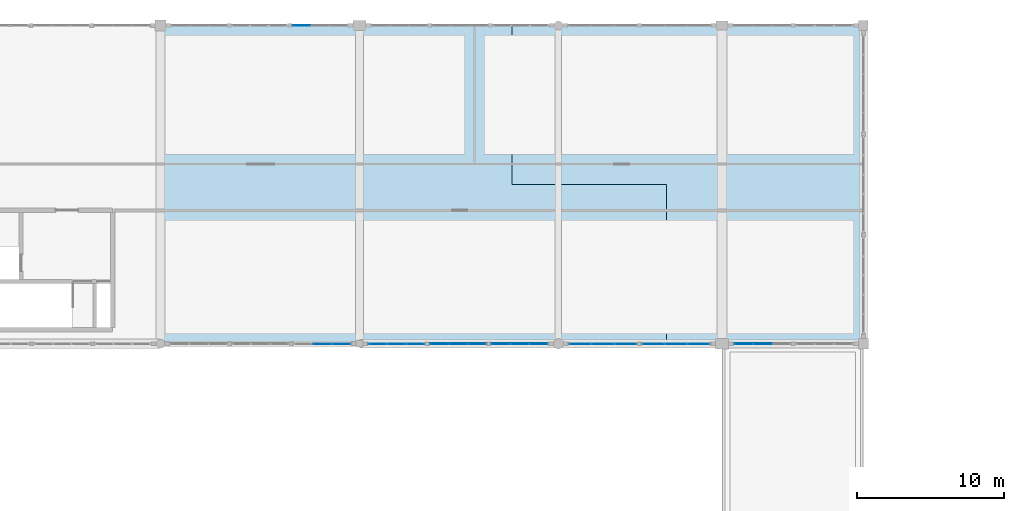
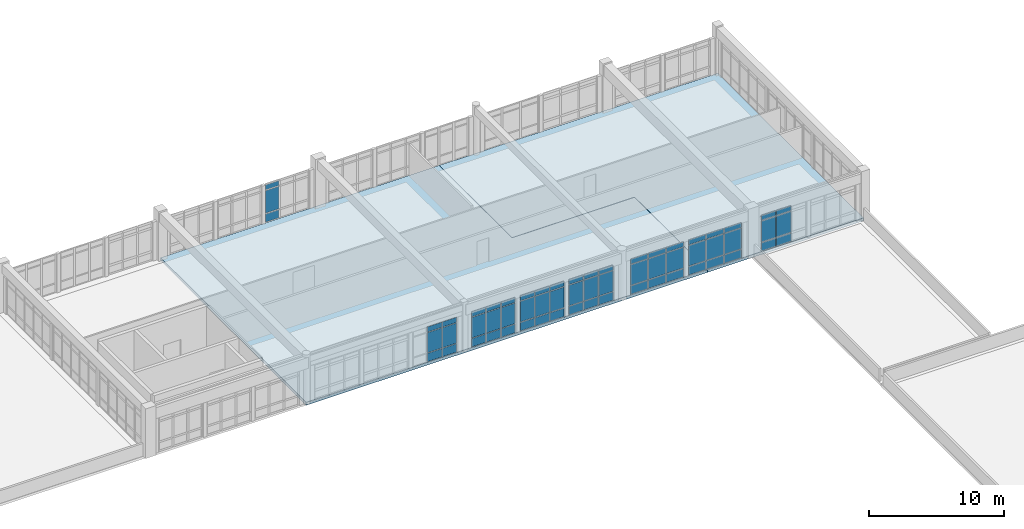
# One storey, part 78 of 109: 60 plates, 2 slabs, 8 elements without a shape of their own.
"""IFC4 building model written with IfcOpenShell, lengths in metres."""

from ifc_helpers import new_model, si_unit, direction, frame, origin, origin_2d, place, context, subcontext, project, spatial, polyline, rectangle, outline, extrude, material, layer, layer_set, type_object, element, aggregate, save


model = new_model("IFC4")

# Units and contexts
model_context = context("Model", 3, precision=1e-05, world=origin(), true_north=direction((0.0, 1.0)))
body_context = subcontext(model_context, "Body", "Model", "MODEL_VIEW")
ifc_project = project(units=[si_unit("LENGTHUNIT", "METRE"), si_unit("AREAUNIT", "SQUARE_METRE"), si_unit("VOLUMEUNIT", "CUBIC_METRE"), si_unit("PLANEANGLEUNIT", "RADIAN"), si_unit("MASSUNIT", "GRAM", prefix="KILO")], contexts=[model_context])

# Site, building, storey
site_placement = place(None, origin())
site = spatial("IfcSite", under=ifc_project, at=site_placement, CompositionType="ELEMENT")
building_placement = place(site_placement, origin())
building = spatial("IfcBuilding", under=site, at=building_placement, Name="Fikremerkos Civic Library", CompositionType="ELEMENT")
storey_placement = place(building_placement, frame((0.0, 0.0, 5.39990234375)))
storey = spatial("IfcBuildingStorey", under=building, at=storey_placement, Name="L01", CompositionType="ELEMENT", Elevation=5.39990234375)

# Curtain wall, plates
ifc_material_1 = material(Name="Anodized aluminium Frame", Category="aluminium")
ifc_layer_1 = layer(ifc_material_1, 0.159912109375, Name="Anodized aluminium Frame")
ifc_layer_set_1 = layer_set([ifc_layer_1], Name="Anodized aluminium Frame")
curtain_wall_type_1 = type_object("IfcCurtainWallType", Name="Unitised curtain wall CW-09 3600x3400", PredefinedType="USERDEFINED", material=ifc_layer_set_1)
curtain_wall_1_placement = place(storey_placement, origin())
curtain_wall_1 = element("IfcCurtainWall", 1, at=curtain_wall_1_placement, inside=storey, type_object=curtain_wall_type_1, Name="Unitised curtain wall CW-09 L01 #117", ObjectType="UNITISED CURTAIN WALL", PredefinedType="USERDEFINED")
ifc_material_2 = material(Name="Solar control double glazing", Category="glass")
ifc_layer_2 = layer(ifc_material_2, 0.028076171875, Name="Solar control double glazing")
ifc_layer_set_2 = layer_set([ifc_layer_2], Name="Solar control double glazing")
plate_type_1 = type_object("IfcPlateType", Name="Curtain glazing panel CWP-01 28", PredefinedType="CURTAIN_PANEL", material=ifc_layer_set_2)
plate_1_placement = place(storey_placement, frame((123.21044921875, 96.0, 0.070068359375), z_axis=(0.0, 0.0, 1.0), x_axis=(-1.0, 0.0, 0.0)))
plate_1 = element("IfcPlate", 2, at=plate_1_placement, type_object=plate_type_1, Name="CW-09 panel 1.1", PredefinedType="CURTAIN_PANEL", context=body_context, shape_type="SweptSolid", body=[
    extrude(rectangle(XDim=1.453125, YDim=0.028076171875, at=origin_2d()), origin(), (0.0, 0.0, 1.0), 0.7451171875),
])
plate_2_placement = place(storey_placement, frame((123.21044921875, 96.0, 0.885009765625), z_axis=(0.0, 0.0, 1.0), x_axis=(-1.0, 0.0, 0.0)))
plate_2 = element("IfcPlate", 3, at=plate_2_placement, type_object=plate_type_1, Name="CW-09 panel 1.2", PredefinedType="CURTAIN_PANEL", context=body_context, shape_type="SweptSolid", body=[
    extrude(rectangle(XDim=1.453125, YDim=0.028076171875, at=origin_2d()), origin(), (0.0, 0.0, 1.0), 1.85009765625),
])
plate_3_placement = place(storey_placement, frame((123.21044921875, 96.0, 2.80517578125), z_axis=(0.0, 0.0, 1.0), x_axis=(-1.0, 0.0, 0.0)))
plate_3 = element("IfcPlate", 4, at=plate_3_placement, type_object=plate_type_1, Name="CW-09 panel 1.3", PredefinedType="CURTAIN_PANEL", context=body_context, shape_type="SweptSolid", body=[
    extrude(rectangle(XDim=1.453125, YDim=0.028076171875, at=origin_2d()), origin(), (0.0, 0.0, 1.0), 0.445068359375),
])
plate_4_placement = place(storey_placement, frame((121.676025390625, 96.0, 0.070068359375), z_axis=(0.0, 0.0, 1.0), x_axis=(-1.0, 0.0, 0.0)))
plate_4 = element("IfcPlate", 5, at=plate_4_placement, type_object=plate_type_1, Name="CW-09 panel 2.1", PredefinedType="CURTAIN_PANEL", context=body_context, shape_type="SweptSolid", body=[
    extrude(rectangle(XDim=1.485595703125, YDim=0.028076171875, at=origin_2d()), origin(), (0.0, 0.0, 1.0), 0.7451171875),
])
plate_5_placement = place(storey_placement, frame((121.676025390625, 96.0, 0.885009765625), z_axis=(0.0, 0.0, 1.0), x_axis=(-1.0, 0.0, 0.0)))
plate_5 = element("IfcPlate", 6, at=plate_5_placement, type_object=plate_type_1, Name="CW-09 panel 2.2", PredefinedType="CURTAIN_PANEL", context=body_context, shape_type="SweptSolid", body=[
    extrude(rectangle(XDim=1.485595703125, YDim=0.028076171875, at=origin_2d()), origin(), (0.0, 0.0, 1.0), 1.85009765625),
])
plate_6_placement = place(storey_placement, frame((121.676025390625, 96.0, 2.80517578125), z_axis=(0.0, 0.0, 1.0), x_axis=(-1.0, 0.0, 0.0)))
plate_6 = element("IfcPlate", 7, at=plate_6_placement, type_object=plate_type_1, Name="CW-09 panel 2.3", PredefinedType="CURTAIN_PANEL", context=body_context, shape_type="SweptSolid", body=[
    extrude(rectangle(XDim=1.485595703125, YDim=0.028076171875, at=origin_2d()), origin(), (0.0, 0.0, 1.0), 0.445068359375),
])
plate_7_placement = place(storey_placement, frame((120.1416015625, 96.0, 0.070068359375), z_axis=(0.0, 0.0, 1.0), x_axis=(-1.0, 0.0, 0.0)))
plate_7 = element("IfcPlate", 8, at=plate_7_placement, type_object=plate_type_1, Name="CW-09 panel 3.1", PredefinedType="CURTAIN_PANEL", context=body_context, shape_type="SweptSolid", body=[
    extrude(rectangle(XDim=1.453125, YDim=0.028076171875, at=origin_2d()), origin(), (0.0, 0.0, 1.0), 0.7451171875),
])
plate_8_placement = place(storey_placement, frame((120.1416015625, 96.0, 0.885009765625), z_axis=(0.0, 0.0, 1.0), x_axis=(-1.0, 0.0, 0.0)))
plate_8 = element("IfcPlate", 9, at=plate_8_placement, type_object=plate_type_1, Name="CW-09 panel 3.2", PredefinedType="CURTAIN_PANEL", context=body_context, shape_type="SweptSolid", body=[
    extrude(rectangle(XDim=1.453125, YDim=0.028076171875, at=origin_2d()), origin(), (0.0, 0.0, 1.0), 1.85009765625),
])
plate_9_placement = place(storey_placement, frame((120.1416015625, 96.0, 2.80517578125), z_axis=(0.0, 0.0, 1.0), x_axis=(-1.0, 0.0, 0.0)))
plate_9 = element("IfcPlate", 10, at=plate_9_placement, type_object=plate_type_1, Name="CW-09 panel 3.3", PredefinedType="CURTAIN_PANEL", context=body_context, shape_type="SweptSolid", body=[
    extrude(rectangle(XDim=1.453125, YDim=0.028076171875, at=origin_2d()), origin(), (0.0, 0.0, 1.0), 0.445068359375),
])
aggregate(curtain_wall_1, [plate_1, plate_2, plate_3, plate_4, plate_5, plate_6, plate_7, plate_8, plate_9])

ifc_layer_3 = layer(ifc_material_1, 0.159912109375, Name="Anodized aluminium Frame")
ifc_layer_set_3 = layer_set([ifc_layer_3], Name="Anodized aluminium Frame")
curtain_wall_type_2 = type_object("IfcCurtainWallType", Name="Unitised curtain wall CW-13 3700x3200", PredefinedType="USERDEFINED", material=ifc_layer_set_3)
curtain_wall_2_placement = place(storey_placement, origin())
curtain_wall_2 = element("IfcCurtainWall", 11, at=curtain_wall_2_placement, inside=storey, type_object=curtain_wall_type_2, Name="Unitised curtain wall CW-13 L01 #121", ObjectType="UNITISED CURTAIN WALL", PredefinedType="USERDEFINED")
plate_10_placement = place(storey_placement, frame((103.987060546875, 96.0, 0.06005859375), z_axis=(0.0, 0.0, 1.0), x_axis=(-1.0, 0.0, 0.0)))
plate_10 = element("IfcPlate", 12, at=plate_10_placement, type_object=plate_type_1, Name="CW-13 panel 1.1", PredefinedType="CURTAIN_PANEL", context=body_context, shape_type="SweptSolid", body=[
    extrude(rectangle(XDim=1.194580078125, YDim=0.028076171875, at=origin_2d()), origin(), (0.0, 0.0, 1.0), 0.760009765625),
])
plate_11_placement = place(storey_placement, frame((103.987060546875, 96.0, 0.8798828125), z_axis=(0.0, 0.0, 1.0), x_axis=(-1.0, 0.0, 0.0)))
plate_11 = element("IfcPlate", 13, at=plate_11_placement, type_object=plate_type_1, Name="CW-13 panel 1.2", PredefinedType="CURTAIN_PANEL", context=body_context, shape_type="SweptSolid", body=[
    extrude(rectangle(XDim=1.194580078125, YDim=0.028076171875, at=origin_2d()), origin(), (0.0, 0.0, 1.0), 1.860107421875),
])
plate_12_placement = place(storey_placement, frame((103.987060546875, 96.0, 2.800048828125), z_axis=(0.0, 0.0, 1.0), x_axis=(-1.0, 0.0, 0.0)))
plate_12 = element("IfcPlate", 14, at=plate_12_placement, type_object=plate_type_1, Name="CW-13 panel 1.3", PredefinedType="CURTAIN_PANEL", context=body_context, shape_type="SweptSolid", body=[
    extrude(rectangle(XDim=1.194580078125, YDim=0.028076171875, at=origin_2d()), origin(), (0.0, 0.0, 1.0), 0.4599609375),
])
plate_13_placement = place(storey_placement, frame((102.711181640625, 96.0, 0.06005859375), z_axis=(0.0, 0.0, 1.0), x_axis=(-1.0, 0.0, 0.0)))
plate_13 = element("IfcPlate", 15, at=plate_13_placement, type_object=plate_type_1, Name="CW-13 panel 2.1", PredefinedType="CURTAIN_PANEL", context=body_context, shape_type="SweptSolid", body=[
    extrude(rectangle(XDim=1.22705078125, YDim=0.028076171875, at=origin_2d()), origin(), (0.0, 0.0, 1.0), 0.760009765625),
])
plate_14_placement = place(storey_placement, frame((102.711181640625, 96.0, 0.8798828125), z_axis=(0.0, 0.0, 1.0), x_axis=(-1.0, 0.0, 0.0)))
plate_14 = element("IfcPlate", 16, at=plate_14_placement, type_object=plate_type_1, Name="CW-13 panel 2.2", PredefinedType="CURTAIN_PANEL", context=body_context, shape_type="SweptSolid", body=[
    extrude(rectangle(XDim=1.22705078125, YDim=0.028076171875, at=origin_2d()), origin(), (0.0, 0.0, 1.0), 1.860107421875),
])
plate_15_placement = place(storey_placement, frame((102.711181640625, 96.0, 2.800048828125), z_axis=(0.0, 0.0, 1.0), x_axis=(-1.0, 0.0, 0.0)))
plate_15 = element("IfcPlate", 17, at=plate_15_placement, type_object=plate_type_1, Name="CW-13 panel 2.3", PredefinedType="CURTAIN_PANEL", context=body_context, shape_type="SweptSolid", body=[
    extrude(rectangle(XDim=1.22705078125, YDim=0.028076171875, at=origin_2d()), origin(), (0.0, 0.0, 1.0), 0.4599609375),
])
plate_16_placement = place(storey_placement, frame((101.435302734375, 96.0, 0.06005859375), z_axis=(0.0, 0.0, 1.0), x_axis=(-1.0, 0.0, 0.0)))
plate_16 = element("IfcPlate", 18, at=plate_16_placement, type_object=plate_type_1, Name="CW-13 panel 3.1", PredefinedType="CURTAIN_PANEL", context=body_context, shape_type="SweptSolid", body=[
    extrude(rectangle(XDim=1.194580078125, YDim=0.028076171875, at=origin_2d()), origin(), (0.0, 0.0, 1.0), 0.760009765625),
])
plate_17_placement = place(storey_placement, frame((101.435302734375, 96.0, 0.8798828125), z_axis=(0.0, 0.0, 1.0), x_axis=(-1.0, 0.0, 0.0)))
plate_17 = element("IfcPlate", 19, at=plate_17_placement, type_object=plate_type_1, Name="CW-13 panel 3.2", PredefinedType="CURTAIN_PANEL", context=body_context, shape_type="SweptSolid", body=[
    extrude(rectangle(XDim=1.194580078125, YDim=0.028076171875, at=origin_2d()), origin(), (0.0, 0.0, 1.0), 1.860107421875),
])
plate_18_placement = place(storey_placement, frame((101.435302734375, 96.0, 2.800048828125), z_axis=(0.0, 0.0, 1.0), x_axis=(-1.0, 0.0, 0.0)))
plate_18 = element("IfcPlate", 20, at=plate_18_placement, type_object=plate_type_1, Name="CW-13 panel 3.3", PredefinedType="CURTAIN_PANEL", context=body_context, shape_type="SweptSolid", body=[
    extrude(rectangle(XDim=1.194580078125, YDim=0.028076171875, at=origin_2d()), origin(), (0.0, 0.0, 1.0), 0.4599609375),
])
aggregate(curtain_wall_2, [plate_10, plate_11, plate_12, plate_13, plate_14, plate_15, plate_16, plate_17, plate_18])

ifc_layer_4 = layer(ifc_material_1, 0.159912109375, Name="Anodized aluminium Frame")
ifc_layer_set_4 = layer_set([ifc_layer_4], Name="Anodized aluminium Frame")
curtain_wall_type_3 = type_object("IfcCurtainWallType", Name="Unitised curtain wall CW-10 4000x3400", PredefinedType="USERDEFINED", material=ifc_layer_set_4)
curtain_wall_3_placement = place(storey_placement, origin())
curtain_wall_3 = element("IfcCurtainWall", 21, at=curtain_wall_3_placement, inside=storey, type_object=curtain_wall_type_3, Name="Unitised curtain wall CW-10 L01 #118", ObjectType="UNITISED CURTAIN WALL", PredefinedType="USERDEFINED")
ifc_layer_5 = layer(ifc_material_2, 0.035888671875, Name="Solar control double glazing")
ifc_layer_set_5 = layer_set([ifc_layer_5], Name="Solar control double glazing")
plate_type_2 = type_object("IfcPlateType", Name="Curtain glazing panel CWP-02 36", PredefinedType="CURTAIN_PANEL", material=ifc_layer_set_5)
plate_19_placement = place(storey_placement, frame((118.259765625, 96.0, 0.070068359375), z_axis=(0.0, 0.0, 1.0), x_axis=(-1.0, 0.0, 0.0)))
plate_19 = element("IfcPlate", 22, at=plate_19_placement, type_object=plate_type_2, Name="CW-10 panel 1.1", PredefinedType="CURTAIN_PANEL", context=body_context, shape_type="SweptSolid", body=[
    extrude(rectangle(XDim=1.460693359375, YDim=0.035888671875, at=origin_2d()), origin(), (0.0, 0.0, 1.0), 0.7451171875),
])
plate_20_placement = place(storey_placement, frame((118.259765625, 96.0, 0.885009765625), z_axis=(0.0, 0.0, 1.0), x_axis=(-1.0, 0.0, 0.0)))
plate_20 = element("IfcPlate", 23, at=plate_20_placement, type_object=plate_type_2, Name="CW-10 panel 1.2", PredefinedType="CURTAIN_PANEL", context=body_context, shape_type="SweptSolid", body=[
    extrude(rectangle(XDim=1.460693359375, YDim=0.035888671875, at=origin_2d()), origin(), (0.0, 0.0, 1.0), 1.85009765625),
])
plate_21_placement = place(storey_placement, frame((118.259765625, 96.0, 2.80517578125), z_axis=(0.0, 0.0, 1.0), x_axis=(-1.0, 0.0, 0.0)))
plate_21 = element("IfcPlate", 24, at=plate_21_placement, type_object=plate_type_2, Name="CW-10 panel 1.3", PredefinedType="CURTAIN_PANEL", context=body_context, shape_type="SweptSolid", body=[
    extrude(rectangle(XDim=1.460693359375, YDim=0.035888671875, at=origin_2d()), origin(), (0.0, 0.0, 1.0), 0.445068359375),
])
plate_22_placement = place(storey_placement, frame((116.72412109375, 96.0, 0.070068359375), z_axis=(0.0, 0.0, 1.0), x_axis=(-1.0, 0.0, 0.0)))
plate_22 = element("IfcPlate", 25, at=plate_22_placement, type_object=plate_type_2, Name="CW-10 panel 2.1", PredefinedType="CURTAIN_PANEL", context=body_context, shape_type="SweptSolid", body=[
    extrude(rectangle(XDim=1.49072265625, YDim=0.035888671875, at=origin_2d()), origin(), (0.0, 0.0, 1.0), 0.7451171875),
])
plate_23_placement = place(storey_placement, frame((116.72412109375, 96.0, 0.885009765625), z_axis=(0.0, 0.0, 1.0), x_axis=(-1.0, 0.0, 0.0)))
plate_23 = element("IfcPlate", 26, at=plate_23_placement, type_object=plate_type_2, Name="CW-10 panel 2.2", PredefinedType="CURTAIN_PANEL", context=body_context, shape_type="SweptSolid", body=[
    extrude(rectangle(XDim=1.49072265625, YDim=0.035888671875, at=origin_2d()), origin(), (0.0, 0.0, 1.0), 1.85009765625),
])
plate_24_placement = place(storey_placement, frame((116.72412109375, 96.0, 2.80517578125), z_axis=(0.0, 0.0, 1.0), x_axis=(-1.0, 0.0, 0.0)))
plate_24 = element("IfcPlate", 27, at=plate_24_placement, type_object=plate_type_2, Name="CW-10 panel 2.3", PredefinedType="CURTAIN_PANEL", context=body_context, shape_type="SweptSolid", body=[
    extrude(rectangle(XDim=1.49072265625, YDim=0.035888671875, at=origin_2d()), origin(), (0.0, 0.0, 1.0), 0.445068359375),
])
plate_25_placement = place(storey_placement, frame((115.188232421875, 96.0, 0.070068359375), z_axis=(0.0, 0.0, 1.0), x_axis=(-1.0, 0.0, 0.0)))
plate_25 = element("IfcPlate", 28, at=plate_25_placement, type_object=plate_type_2, Name="CW-10 panel 3.1", PredefinedType="CURTAIN_PANEL", context=body_context, shape_type="SweptSolid", body=[
    extrude(rectangle(XDim=1.460693359375, YDim=0.035888671875, at=origin_2d()), origin(), (0.0, 0.0, 1.0), 0.7451171875),
])
plate_26_placement = place(storey_placement, frame((115.188232421875, 96.0, 0.885009765625), z_axis=(0.0, 0.0, 1.0), x_axis=(-1.0, 0.0, 0.0)))
plate_26 = element("IfcPlate", 29, at=plate_26_placement, type_object=plate_type_2, Name="CW-10 panel 3.2", PredefinedType="CURTAIN_PANEL", context=body_context, shape_type="SweptSolid", body=[
    extrude(rectangle(XDim=1.460693359375, YDim=0.035888671875, at=origin_2d()), origin(), (0.0, 0.0, 1.0), 1.85009765625),
])
plate_27_placement = place(storey_placement, frame((115.188232421875, 96.0, 2.80517578125), z_axis=(0.0, 0.0, 1.0), x_axis=(-1.0, 0.0, 0.0)))
plate_27 = element("IfcPlate", 30, at=plate_27_placement, type_object=plate_type_2, Name="CW-10 panel 3.3", PredefinedType="CURTAIN_PANEL", context=body_context, shape_type="SweptSolid", body=[
    extrude(rectangle(XDim=1.460693359375, YDim=0.035888671875, at=origin_2d()), origin(), (0.0, 0.0, 1.0), 0.445068359375),
])
aggregate(curtain_wall_3, [plate_19, plate_20, plate_21, plate_22, plate_23, plate_24, plate_25, plate_26, plate_27])

ifc_layer_6 = layer(ifc_material_1, 0.159912109375, Name="Anodized aluminium Frame")
ifc_layer_set_6 = layer_set([ifc_layer_6], Name="Anodized aluminium Frame")
curtain_wall_type_4 = type_object("IfcCurtainWallType", Name="Unitised curtain wall CW-14 4100x3200", PredefinedType="USERDEFINED", material=ifc_layer_set_6)
curtain_wall_4_placement = place(storey_placement, origin())
curtain_wall_4 = element("IfcCurtainWall", 31, at=curtain_wall_4_placement, inside=storey, type_object=curtain_wall_type_4, Name="Unitised curtain wall CW-14 L01 #122", ObjectType="UNITISED CURTAIN WALL", PredefinedType="USERDEFINED")
plate_28_placement = place(storey_placement, frame((98.963134765625, 96.0, 0.06005859375), z_axis=(0.0, 0.0, 1.0), x_axis=(-1.0, 0.0, 0.0)))
plate_28 = element("IfcPlate", 32, at=plate_28_placement, type_object=plate_type_2, Name="CW-14 panel 1.1", PredefinedType="CURTAIN_PANEL", context=body_context, shape_type="SweptSolid", body=[
    extrude(rectangle(XDim=1.207763671875, YDim=0.035888671875, at=origin_2d()), origin(), (0.0, 0.0, 1.0), 0.760009765625),
])
plate_29_placement = place(storey_placement, frame((98.963134765625, 96.0, 0.880126953125), z_axis=(0.0, 0.0, 1.0), x_axis=(-1.0, 0.0, 0.0)))
plate_29 = element("IfcPlate", 33, at=plate_29_placement, type_object=plate_type_2, Name="CW-14 panel 1.2", PredefinedType="CURTAIN_PANEL", context=body_context, shape_type="SweptSolid", body=[
    extrude(rectangle(XDim=1.207763671875, YDim=0.035888671875, at=origin_2d()), origin(), (0.0, 0.0, 1.0), 1.81005859375),
])
plate_30_placement = place(storey_placement, frame((98.963134765625, 96.0, 2.75), z_axis=(0.0, 0.0, 1.0), x_axis=(-1.0, 0.0, 0.0)))
plate_30 = element("IfcPlate", 34, at=plate_30_placement, type_object=plate_type_2, Name="CW-14 panel 1.3", PredefinedType="CURTAIN_PANEL", context=body_context, shape_type="SweptSolid", body=[
    extrude(rectangle(XDim=1.207763671875, YDim=0.035888671875, at=origin_2d()), origin(), (0.0, 0.0, 1.0), 0.4599609375),
])
plate_31_placement = place(storey_placement, frame((97.680419921875, 96.0, 0.06005859375), z_axis=(0.0, 0.0, 1.0), x_axis=(-1.0, 0.0, 0.0)))
plate_31 = element("IfcPlate", 35, at=plate_31_placement, type_object=plate_type_2, Name="CW-14 panel 2.1", PredefinedType="CURTAIN_PANEL", context=body_context, shape_type="SweptSolid", body=[
    extrude(rectangle(XDim=1.237548828125, YDim=0.035888671875, at=origin_2d()), origin(), (0.0, 0.0, 1.0), 0.760009765625),
])
plate_32_placement = place(storey_placement, frame((97.680419921875, 96.0, 0.880126953125), z_axis=(0.0, 0.0, 1.0), x_axis=(-1.0, 0.0, 0.0)))
plate_32 = element("IfcPlate", 36, at=plate_32_placement, type_object=plate_type_2, Name="CW-14 panel 2.2", PredefinedType="CURTAIN_PANEL", context=body_context, shape_type="SweptSolid", body=[
    extrude(rectangle(XDim=1.237548828125, YDim=0.035888671875, at=origin_2d()), origin(), (0.0, 0.0, 1.0), 1.81005859375),
])
plate_33_placement = place(storey_placement, frame((97.680419921875, 96.0, 2.75), z_axis=(0.0, 0.0, 1.0), x_axis=(-1.0, 0.0, 0.0)))
plate_33 = element("IfcPlate", 37, at=plate_33_placement, type_object=plate_type_2, Name="CW-14 panel 2.3", PredefinedType="CURTAIN_PANEL", context=body_context, shape_type="SweptSolid", body=[
    extrude(rectangle(XDim=1.237548828125, YDim=0.035888671875, at=origin_2d()), origin(), (0.0, 0.0, 1.0), 0.4599609375),
])
aggregate(curtain_wall_4, [plate_28, plate_29, plate_30, plate_31, plate_32, plate_33])

curtain_wall_5_placement = place(storey_placement, origin())
curtain_wall_5 = element("IfcCurtainWall", 38, at=curtain_wall_5_placement, inside=storey, type_object=curtain_wall_type_3, Name="Unitised curtain wall CW-10 L01 #136", ObjectType="UNITISED CURTAIN WALL", PredefinedType="USERDEFINED")
plate_34_placement = place(storey_placement, frame((96.256103515625, 117.60009765625, 0.070068359375), z_axis=(0.0, 0.0, 1.0), x_axis=(1.0, 0.0, 0.0)))
plate_34 = element("IfcPlate", 39, at=plate_34_placement, type_object=plate_type_2, Name="CW-10 panel 1.1", PredefinedType="CURTAIN_PANEL", context=body_context, shape_type="SweptSolid", body=[
    extrude(rectangle(XDim=1.17431640625, YDim=0.035888671875, at=origin_2d()), origin(), (0.0, 0.0, 1.0), 0.7451171875),
])
plate_35_placement = place(storey_placement, frame((96.256103515625, 117.60009765625, 0.88525390625), z_axis=(0.0, 0.0, 1.0), x_axis=(1.0, 0.0, 0.0)))
plate_35 = element("IfcPlate", 40, at=plate_35_placement, type_object=plate_type_2, Name="CW-10 panel 1.2", PredefinedType="CURTAIN_PANEL", context=body_context, shape_type="SweptSolid", body=[
    extrude(rectangle(XDim=1.17431640625, YDim=0.035888671875, at=origin_2d()), origin(), (0.0, 0.0, 1.0), 2.047119140625),
])
plate_36_placement = place(storey_placement, frame((96.256103515625, 117.60009765625, 3.00244140625), z_axis=(0.0, 0.0, 1.0), x_axis=(1.0, 0.0, 0.0)))
plate_36 = element("IfcPlate", 41, at=plate_36_placement, type_object=plate_type_2, Name="CW-10 panel 1.3", PredefinedType="CURTAIN_PANEL", context=body_context, shape_type="SweptSolid", body=[
    extrude(rectangle(XDim=1.17431640625, YDim=0.035888671875, at=origin_2d()), origin(), (0.0, 0.0, 1.0), 0.445068359375),
])
aggregate(curtain_wall_5, [plate_34, plate_35, plate_36])

ifc_layer_7 = layer(ifc_material_1, 0.159912109375, Name="Anodized aluminium Frame")
ifc_layer_set_7 = layer_set([ifc_layer_7], Name="Anodized aluminium Frame")
curtain_wall_type_5 = type_object("IfcCurtainWallType", Name="Unitised curtain wall CW-11 3200x3400", PredefinedType="USERDEFINED", material=ifc_layer_set_7)
curtain_wall_6_placement = place(storey_placement, origin())
curtain_wall_6 = element("IfcCurtainWall", 42, at=curtain_wall_6_placement, inside=storey, type_object=curtain_wall_type_5, Name="Unitised curtain wall CW-11 L01 #119", ObjectType="UNITISED CURTAIN WALL", PredefinedType="USERDEFINED")
ifc_material_3 = material(Name="Insulated aluminium spandrel", Category="aluminium")
ifc_layer_8 = layer(ifc_material_3, 0.044921875, Name="Insulated aluminium spandrel")
ifc_layer_set_8 = layer_set([ifc_layer_8], Name="Insulated aluminium spandrel")
plate_type_3 = type_object("IfcPlateType", Name="Curtain spandrel panel CSP-01 45", PredefinedType="CURTAIN_PANEL", material=ifc_layer_set_8)
plate_37_placement = place(storey_placement, frame((112.341064453125, 96.0, 0.065185546875), z_axis=(0.0, 0.0, 1.0), x_axis=(-1.0, 0.0, 0.0)))
plate_37 = element("IfcPlate", 43, at=plate_37_placement, type_object=plate_type_3, Name="CW-11 panel 1.1", PredefinedType="CURTAIN_PANEL", context=body_context, shape_type="SweptSolid", body=[
    extrude(rectangle(XDim=1.2021484375, YDim=0.044921875, at=origin_2d()), origin(), (0.0, 0.0, 1.0), 0.75244140625),
])
plate_38_placement = place(storey_placement, frame((112.341064453125, 96.0, 0.882568359375), z_axis=(0.0, 0.0, 1.0), x_axis=(-1.0, 0.0, 0.0)))
plate_38 = element("IfcPlate", 44, at=plate_38_placement, type_object=plate_type_3, Name="CW-11 panel 1.2", PredefinedType="CURTAIN_PANEL", context=body_context, shape_type="SweptSolid", body=[
    extrude(rectangle(XDim=1.2021484375, YDim=0.044921875, at=origin_2d()), origin(), (0.0, 0.0, 1.0), 1.85498046875),
])
plate_39_placement = place(storey_placement, frame((112.341064453125, 96.0, 2.802734375), z_axis=(0.0, 0.0, 1.0), x_axis=(-1.0, 0.0, 0.0)))
plate_39 = element("IfcPlate", 45, at=plate_39_placement, type_object=plate_type_3, Name="CW-11 panel 1.3", PredefinedType="CURTAIN_PANEL", context=body_context, shape_type="SweptSolid", body=[
    extrude(rectangle(XDim=1.2021484375, YDim=0.044921875, at=origin_2d()), origin(), (0.0, 0.0, 1.0), 0.452392578125),
])
plate_40_placement = place(storey_placement, frame((111.063720703125, 96.0, 0.065185546875), z_axis=(0.0, 0.0, 1.0), x_axis=(-1.0, 0.0, 0.0)))
plate_40 = element("IfcPlate", 46, at=plate_40_placement, type_object=plate_type_3, Name="CW-11 panel 2.1", PredefinedType="CURTAIN_PANEL", context=body_context, shape_type="SweptSolid", body=[
    extrude(rectangle(XDim=1.232177734375, YDim=0.044921875, at=origin_2d()), origin(), (0.0, 0.0, 1.0), 0.75244140625),
])
plate_41_placement = place(storey_placement, frame((111.063720703125, 96.0, 0.882568359375), z_axis=(0.0, 0.0, 1.0), x_axis=(-1.0, 0.0, 0.0)))
plate_41 = element("IfcPlate", 47, at=plate_41_placement, type_object=plate_type_3, Name="CW-11 panel 2.2", PredefinedType="CURTAIN_PANEL", context=body_context, shape_type="SweptSolid", body=[
    extrude(rectangle(XDim=1.232177734375, YDim=0.044921875, at=origin_2d()), origin(), (0.0, 0.0, 1.0), 1.85498046875),
])
plate_42_placement = place(storey_placement, frame((111.063720703125, 96.0, 2.802734375), z_axis=(0.0, 0.0, 1.0), x_axis=(-1.0, 0.0, 0.0)))
plate_42 = element("IfcPlate", 48, at=plate_42_placement, type_object=plate_type_3, Name="CW-11 panel 2.3", PredefinedType="CURTAIN_PANEL", context=body_context, shape_type="SweptSolid", body=[
    extrude(rectangle(XDim=1.232177734375, YDim=0.044921875, at=origin_2d()), origin(), (0.0, 0.0, 1.0), 0.452392578125),
])
plate_43_placement = place(storey_placement, frame((109.78662109375, 96.0, 0.065185546875), z_axis=(0.0, 0.0, 1.0), x_axis=(-1.0, 0.0, 0.0)))
plate_43 = element("IfcPlate", 49, at=plate_43_placement, type_object=plate_type_3, Name="CW-11 panel 3.1", PredefinedType="CURTAIN_PANEL", context=body_context, shape_type="SweptSolid", body=[
    extrude(rectangle(XDim=1.2021484375, YDim=0.044921875, at=origin_2d()), origin(), (0.0, 0.0, 1.0), 0.75244140625),
])
plate_44_placement = place(storey_placement, frame((109.78662109375, 96.0, 0.882568359375), z_axis=(0.0, 0.0, 1.0), x_axis=(-1.0, 0.0, 0.0)))
plate_44 = element("IfcPlate", 50, at=plate_44_placement, type_object=plate_type_3, Name="CW-11 panel 3.2", PredefinedType="CURTAIN_PANEL", context=body_context, shape_type="SweptSolid", body=[
    extrude(rectangle(XDim=1.2021484375, YDim=0.044921875, at=origin_2d()), origin(), (0.0, 0.0, 1.0), 1.85498046875),
])
plate_45_placement = place(storey_placement, frame((109.78662109375, 96.0, 2.802734375), z_axis=(0.0, 0.0, 1.0), x_axis=(-1.0, 0.0, 0.0)))
plate_45 = element("IfcPlate", 51, at=plate_45_placement, type_object=plate_type_3, Name="CW-11 panel 3.3", PredefinedType="CURTAIN_PANEL", context=body_context, shape_type="SweptSolid", body=[
    extrude(rectangle(XDim=1.2021484375, YDim=0.044921875, at=origin_2d()), origin(), (0.0, 0.0, 1.0), 0.452392578125),
])
aggregate(curtain_wall_6, [plate_37, plate_38, plate_39, plate_40, plate_41, plate_42, plate_43, plate_44, plate_45])

ifc_layer_9 = layer(ifc_material_1, 0.159912109375, Name="Anodized aluminium Frame")
ifc_layer_set_9 = layer_set([ifc_layer_9], Name="Anodized aluminium Frame")
curtain_wall_type_6 = type_object("IfcCurtainWallType", Name="Unitised curtain wall CW-08 4500x4100", PredefinedType="USERDEFINED", material=ifc_layer_set_9)
curtain_wall_7_placement = place(storey_placement, origin())
curtain_wall_7 = element("IfcCurtainWall", 52, at=curtain_wall_7_placement, inside=storey, type_object=curtain_wall_type_6, Name="Unitised curtain wall CW-08 L01 #116", ObjectType="UNITISED CURTAIN WALL", PredefinedType="USERDEFINED")
ifc_layer_10 = layer(ifc_material_3, 0.054931640625, Name="Insulated aluminium spandrel")
ifc_layer_set_10 = layer_set([ifc_layer_10], Name="Insulated aluminium spandrel")
plate_type_4 = type_object("IfcPlateType", Name="Curtain spandrel panel CSP-02 55", PredefinedType="CURTAIN_PANEL", material=ifc_layer_set_10)
plate_46_placement = place(storey_placement, frame((127.549072265625, 96.0, 0.070068359375), z_axis=(0.0, 0.0, 1.0), x_axis=(-1.0, 0.0, 0.0)))
plate_46 = element("IfcPlate", 53, at=plate_46_placement, type_object=plate_type_4, Name="CW-08 panel 2.1", PredefinedType="CURTAIN_PANEL", context=body_context, shape_type="SweptSolid", body=[
    extrude(rectangle(XDim=1.24072265625, YDim=0.054931640625, at=origin_2d()), origin(), (0.0, 0.0, 1.0), 0.7451171875),
])
plate_47_placement = place(storey_placement, frame((127.549072265625, 96.0, 0.88525390625), z_axis=(0.0, 0.0, 1.0), x_axis=(-1.0, 0.0, 0.0)))
plate_47 = element("IfcPlate", 54, at=plate_47_placement, type_object=plate_type_4, Name="CW-08 panel 2.2", PredefinedType="CURTAIN_PANEL", context=body_context, shape_type="SweptSolid", body=[
    extrude(rectangle(XDim=1.24072265625, YDim=0.054931640625, at=origin_2d()), origin(), (0.0, 0.0, 1.0), 1.897216796875),
])
plate_48_placement = place(storey_placement, frame((127.549072265625, 96.0, 2.85205078125), z_axis=(0.0, 0.0, 1.0), x_axis=(-1.0, 0.0, 0.0)))
plate_48 = element("IfcPlate", 55, at=plate_48_placement, type_object=plate_type_4, Name="CW-08 panel 2.3", PredefinedType="CURTAIN_PANEL", context=body_context, shape_type="SweptSolid", body=[
    extrude(rectangle(XDim=1.24072265625, YDim=0.054931640625, at=origin_2d()), origin(), (0.0, 0.0, 1.0), 0.445068359375),
])
plate_49_placement = place(storey_placement, frame((126.263427734375, 96.0, 0.070068359375), z_axis=(0.0, 0.0, 1.0), x_axis=(-1.0, 0.0, 0.0)))
plate_49 = element("IfcPlate", 56, at=plate_49_placement, type_object=plate_type_4, Name="CW-08 panel 3.1", PredefinedType="CURTAIN_PANEL", context=body_context, shape_type="SweptSolid", body=[
    extrude(rectangle(XDim=1.210693359375, YDim=0.054931640625, at=origin_2d()), origin(), (0.0, 0.0, 1.0), 0.7451171875),
])
plate_50_placement = place(storey_placement, frame((126.263427734375, 96.0, 0.88525390625), z_axis=(0.0, 0.0, 1.0), x_axis=(-1.0, 0.0, 0.0)))
plate_50 = element("IfcPlate", 57, at=plate_50_placement, type_object=plate_type_4, Name="CW-08 panel 3.2", PredefinedType="CURTAIN_PANEL", context=body_context, shape_type="SweptSolid", body=[
    extrude(rectangle(XDim=1.210693359375, YDim=0.054931640625, at=origin_2d()), origin(), (0.0, 0.0, 1.0), 1.897216796875),
])
plate_51_placement = place(storey_placement, frame((126.263427734375, 96.0, 2.85205078125), z_axis=(0.0, 0.0, 1.0), x_axis=(-1.0, 0.0, 0.0)))
plate_51 = element("IfcPlate", 58, at=plate_51_placement, type_object=plate_type_4, Name="CW-08 panel 3.3", PredefinedType="CURTAIN_PANEL", context=body_context, shape_type="SweptSolid", body=[
    extrude(rectangle(XDim=1.210693359375, YDim=0.054931640625, at=origin_2d()), origin(), (0.0, 0.0, 1.0), 0.445068359375),
])
aggregate(curtain_wall_7, [plate_46, plate_47, plate_48, plate_49, plate_50, plate_51])

ifc_layer_11 = layer(ifc_material_1, 0.159912109375, Name="Anodized aluminium Frame")
ifc_layer_set_11 = layer_set([ifc_layer_11], Name="Anodized aluminium Frame")
curtain_wall_type_7 = type_object("IfcCurtainWallType", Name="Unitised curtain wall CW-12 4300x3400", PredefinedType="USERDEFINED", material=ifc_layer_set_11)
curtain_wall_8_placement = place(storey_placement, origin())
curtain_wall_8 = element("IfcCurtainWall", 59, at=curtain_wall_8_placement, inside=storey, type_object=curtain_wall_type_7, Name="Unitised curtain wall CW-12 L01 #120", ObjectType="UNITISED CURTAIN WALL", PredefinedType="USERDEFINED")
plate_52_placement = place(storey_placement, frame((108.16455078125, 96.0, 0.065185546875), z_axis=(0.0, 0.0, 1.0), x_axis=(-1.0, 0.0, 0.0)))
plate_52 = element("IfcPlate", 60, at=plate_52_placement, type_object=plate_type_4, Name="CW-12 panel 1.1", PredefinedType="CURTAIN_PANEL", context=body_context, shape_type="SweptSolid", body=[
    extrude(rectangle(XDim=1.2021484375, YDim=0.054931640625, at=origin_2d()), origin(), (0.0, 0.0, 1.0), 0.75244140625),
])
plate_53_placement = place(storey_placement, frame((108.16455078125, 96.0, 0.882568359375), z_axis=(0.0, 0.0, 1.0), x_axis=(-1.0, 0.0, 0.0)))
plate_53 = element("IfcPlate", 61, at=plate_53_placement, type_object=plate_type_4, Name="CW-12 panel 1.2", PredefinedType="CURTAIN_PANEL", context=body_context, shape_type="SweptSolid", body=[
    extrude(rectangle(XDim=1.2021484375, YDim=0.054931640625, at=origin_2d()), origin(), (0.0, 0.0, 1.0), 1.85498046875),
])
plate_54_placement = place(storey_placement, frame((108.16455078125, 96.0, 2.802734375), z_axis=(0.0, 0.0, 1.0), x_axis=(-1.0, 0.0, 0.0)))
plate_54 = element("IfcPlate", 62, at=plate_54_placement, type_object=plate_type_4, Name="CW-12 panel 1.3", PredefinedType="CURTAIN_PANEL", context=body_context, shape_type="SweptSolid", body=[
    extrude(rectangle(XDim=1.2021484375, YDim=0.054931640625, at=origin_2d()), origin(), (0.0, 0.0, 1.0), 0.452392578125),
])
plate_55_placement = place(storey_placement, frame((106.887451171875, 96.0, 0.065185546875), z_axis=(0.0, 0.0, 1.0), x_axis=(-1.0, 0.0, 0.0)))
plate_55 = element("IfcPlate", 63, at=plate_55_placement, type_object=plate_type_4, Name="CW-12 panel 2.1", PredefinedType="CURTAIN_PANEL", context=body_context, shape_type="SweptSolid", body=[
    extrude(rectangle(XDim=1.232177734375, YDim=0.054931640625, at=origin_2d()), origin(), (0.0, 0.0, 1.0), 0.75244140625),
])
plate_56_placement = place(storey_placement, frame((106.887451171875, 96.0, 0.882568359375), z_axis=(0.0, 0.0, 1.0), x_axis=(-1.0, 0.0, 0.0)))
plate_56 = element("IfcPlate", 64, at=plate_56_placement, type_object=plate_type_4, Name="CW-12 panel 2.2", PredefinedType="CURTAIN_PANEL", context=body_context, shape_type="SweptSolid", body=[
    extrude(rectangle(XDim=1.232177734375, YDim=0.054931640625, at=origin_2d()), origin(), (0.0, 0.0, 1.0), 1.85498046875),
])
plate_57_placement = place(storey_placement, frame((106.887451171875, 96.0, 2.802734375), z_axis=(0.0, 0.0, 1.0), x_axis=(-1.0, 0.0, 0.0)))
plate_57 = element("IfcPlate", 65, at=plate_57_placement, type_object=plate_type_4, Name="CW-12 panel 2.3", PredefinedType="CURTAIN_PANEL", context=body_context, shape_type="SweptSolid", body=[
    extrude(rectangle(XDim=1.232177734375, YDim=0.054931640625, at=origin_2d()), origin(), (0.0, 0.0, 1.0), 0.452392578125),
])
plate_58_placement = place(storey_placement, frame((105.6103515625, 96.0, 0.065185546875), z_axis=(0.0, 0.0, 1.0), x_axis=(-1.0, 0.0, 0.0)))
plate_58 = element("IfcPlate", 66, at=plate_58_placement, type_object=plate_type_4, Name="CW-12 panel 3.1", PredefinedType="CURTAIN_PANEL", context=body_context, shape_type="SweptSolid", body=[
    extrude(rectangle(XDim=1.2021484375, YDim=0.054931640625, at=origin_2d()), origin(), (0.0, 0.0, 1.0), 0.75244140625),
])
plate_59_placement = place(storey_placement, frame((105.6103515625, 96.0, 0.882568359375), z_axis=(0.0, 0.0, 1.0), x_axis=(-1.0, 0.0, 0.0)))
plate_59 = element("IfcPlate", 67, at=plate_59_placement, type_object=plate_type_4, Name="CW-12 panel 3.2", PredefinedType="CURTAIN_PANEL", context=body_context, shape_type="SweptSolid", body=[
    extrude(rectangle(XDim=1.2021484375, YDim=0.054931640625, at=origin_2d()), origin(), (0.0, 0.0, 1.0), 1.85498046875),
])
plate_60_placement = place(storey_placement, frame((105.6103515625, 96.0, 2.802734375), z_axis=(0.0, 0.0, 1.0), x_axis=(-1.0, 0.0, 0.0)))
plate_60 = element("IfcPlate", 68, at=plate_60_placement, type_object=plate_type_4, Name="CW-12 panel 3.3", PredefinedType="CURTAIN_PANEL", context=body_context, shape_type="SweptSolid", body=[
    extrude(rectangle(XDim=1.2021484375, YDim=0.054931640625, at=origin_2d()), origin(), (0.0, 0.0, 1.0), 0.452392578125),
])
aggregate(curtain_wall_8, [plate_52, plate_53, plate_54, plate_55, plate_56, plate_57, plate_58, plate_59, plate_60])

# Slabs
ifc_material_4 = material(Name="Concrete C40/50", Category="concrete")
ifc_layer_12 = layer(ifc_material_4, 0.260009765625, Name="Concrete C40/50")
ifc_layer_set_12 = layer_set([ifc_layer_12], Name="Concrete C40/50")
slab_type = type_object("IfcSlabType", Name="Suspended floor slab SFS-05 260", PredefinedType="FLOOR", material=ifc_layer_set_12)
slab_1_placement = place(storey_placement, frame((0.0, 0.0, -0.260009765625)))
element("IfcSlab", 69, at=slab_1_placement, inside=storey, type_object=slab_type, Name="Floor slab SFS-05 SLB-L01-V2-P-2L1", PredefinedType="FLOOR", context=body_context, shape_type="SweptSolid", body=[
    extrude(outline(polyline([(86.699951171875, 96.0), (121.0400390625, 96.0), (121.0400390625, 106.7958984375), (110.5458984375, 106.7958984375), (110.5458984375, 117.60009765625), (86.699951171875, 117.60009765625), (86.699951171875, 96.0)])), origin(), (0.0, 0.0, 1.0), 0.260009765625),
])
slab_2_placement = place(storey_placement, frame((0.0, 0.0, -0.260009765625)))
element("IfcSlab", 70, at=slab_2_placement, inside=storey, type_object=slab_type, Name="Floor slab SFS-05 SLB-L01-V2-P-2L2", PredefinedType="FLOOR", context=body_context, shape_type="SweptSolid", body=[
    extrude(outline(polyline([(121.048095703125, 96.0), (134.39990234375, 96.0), (134.39990234375, 117.60009765625), (110.553955078125, 117.60009765625), (110.553955078125, 106.803955078125), (121.048095703125, 106.803955078125), (121.048095703125, 96.0)])), origin(), (0.0, 0.0, 1.0), 0.260009765625),
])

save(model, "model.ifc")
